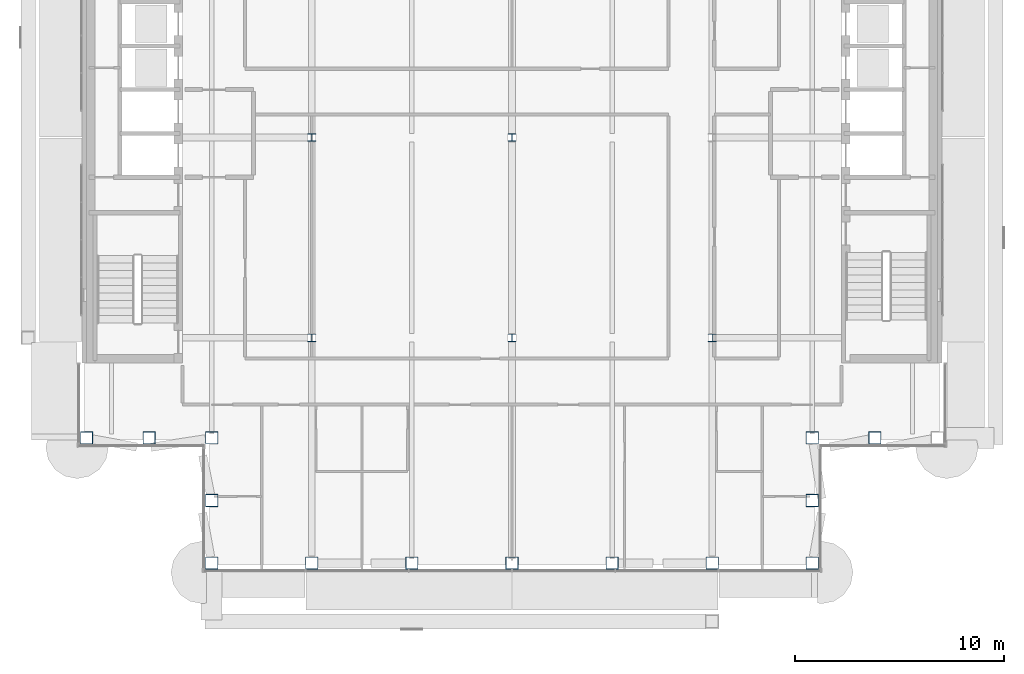
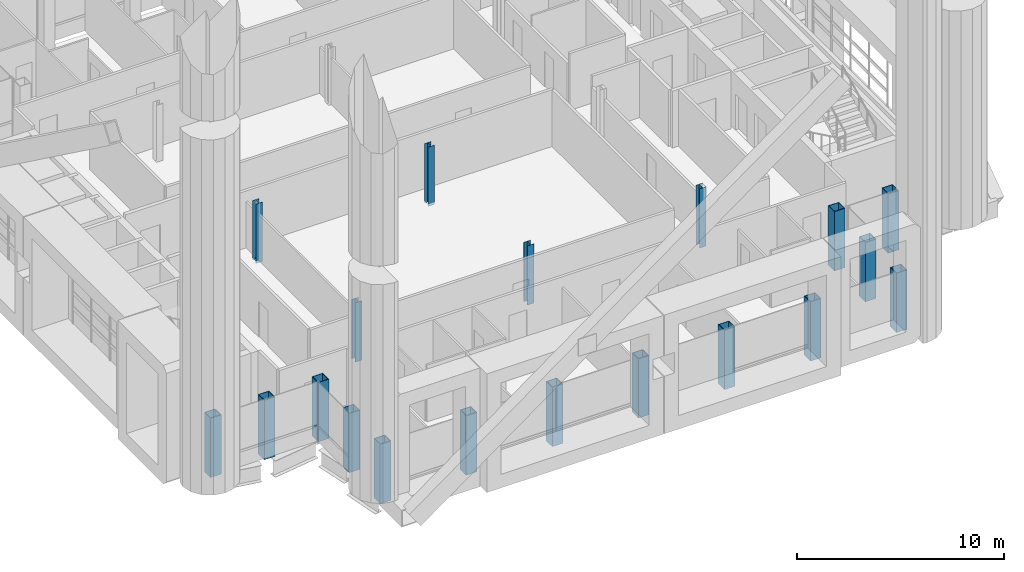
# One storey, part 1 of 29: 19 columns.
"""IFC4 building model written with IfcOpenShell, lengths in metres."""

from ifc_helpers import new_model, si_unit, direction, frame, origin, origin_2d, place, context, subcontext, project, spatial, hollow_rectangle, i_section, extrude, material, material_profile, profile_set, type_object, element, save


model = new_model("IFC4")

# Units and contexts
model_context = context("Model", 3, precision=1e-05, world=origin(), true_north=direction((0.0, 1.0)))
body_context = subcontext(model_context, "Body", "Model", "MODEL_VIEW")
ifc_project = project(units=[si_unit("LENGTHUNIT", "METRE"), si_unit("AREAUNIT", "SQUARE_METRE"), si_unit("VOLUMEUNIT", "CUBIC_METRE"), si_unit("PLANEANGLEUNIT", "RADIAN"), si_unit("MASSUNIT", "GRAM", prefix="KILO")], contexts=[model_context])

# Site, building, storey
site_placement = place(None, origin())
site = spatial("IfcSite", under=ifc_project, at=site_placement, CompositionType="ELEMENT")
building_placement = place(site_placement, origin())
building = spatial("IfcBuilding", under=site, at=building_placement, Name="Cobrizo Arcos Hotel Tower", CompositionType="ELEMENT")
storey_placement = place(building_placement, frame((0.0, 0.0, 241.0)))
storey = spatial("IfcBuildingStorey", under=building, at=storey_placement, Name="L63", CompositionType="ELEMENT", Elevation=241.0)

# Columns
ifc_material_1 = material(Name="Steel ASTM A572 Grade 50", Category="steel")
ifc_material_profile_1 = material_profile(ifc_material_1, hollow_rectangle(XDim=0.60009765625, YDim=0.60009765625, WallThickness=0.030029296875, at=origin_2d()), Name="BOX 600X600X30")
ifc_profile_set_1 = profile_set([ifc_material_profile_1], Name="Steel ASTM A572 Grade 50")
column_type_1 = type_object("IfcColumnType", Name="BOX 600X600X30 column", PredefinedType="COLUMN", material=ifc_profile_set_1)
for number, where, z_axis, x_axis, name in (
    (1, (-14.39990234375, -20.39990234375, -0.14990234375), (0.0, 0.0, 1.0), (1.0, 0.0, 0.0), "Perimeter column C12, L63, no. 01"),
    (2, (-9.60009765625, -20.39990234375, -0.14990234375), (0.0, 0.0, 1.0), (1.0, 0.0, 0.0), "Perimeter column C12, L63, no. 03"),
    (3, (-4.800048828125, -20.39990234375, -0.14990234375), (0.0, 0.0, 1.0), (1.0, 0.0, 0.0), "Perimeter column C12, L63, no. 05"),
    (4, (0.0, -20.39990234375, -0.14990234375), (0.0, 0.0, 1.0), (1.0, 0.0, 0.0), "Perimeter column C12, L63, no. 07"),
    (5, (4.800048828125, -20.39990234375, -0.14990234375), (0.0, 0.0, 1.0), (1.0, 0.0, 0.0), "Perimeter column C12, L63, no. 09"),
    (6, (9.60009765625, -20.39990234375, -0.14990234375), (0.0, 0.0, 1.0), (1.0, 0.0, 0.0), "Perimeter column C12, L63, no. 11"),
    (7, (14.39990234375, -20.39990234375, -0.14990234375), (0.0, 0.0, 1.0), (1.0, 0.0, 0.0), "Perimeter column C12, L63, no. 13"),
    (8, (-20.39990234375, -14.39990234375, -0.14990234375), (0.0, 0.0, 1.0), (1.0, 0.0, 0.0), "Perimeter column C12, L63, no. 15"),
    (9, (-14.39990234375, -14.39990234375, -0.14990234375), (0.0, 0.0, 1.0), (1.0, 0.0, 0.0), "Perimeter column C12, L63, no. 18"),
    (10, (-14.39990234375, -17.39990234375, -0.14990234375), (0.0, 0.0, 1.0), (1.0, 0.0, 0.0), "Perimeter column C12, L63, no. 19"),
    (11, (-17.39990234375, -14.39990234375, -0.14990234375), (0.0, 0.0, 1.0), (1.0, 0.0, 0.0), "Perimeter column C12, L63, no. 20"),
    (12, (14.39990234375, -14.39990234375, -0.14990234375), (0.0, 0.0, 1.0), (1.0, 0.0, 0.0), "Perimeter column C12, L63, no. 24"),
    (13, (14.39990234375, -17.39990234375, -0.14990234375), (0.0, 0.0, 1.0), (1.0, 0.0, 0.0), "Perimeter column C12, L63, no. 25"),
    (14, (17.39990234375, -14.39990234375, -0.14990234375), (0.0, 0.0, 1.0), (1.0, 0.0, 0.0), "Perimeter column C12, L63, no. 26"),
):
    element("IfcColumn", number, at=place(storey_placement, frame(where, z_axis=z_axis, x_axis=x_axis)), inside=storey, type_object=column_type_1, Name=name, PredefinedType="COLUMN", context=body_context, shape_type="SweptSolid", body=[
        extrude(hollow_rectangle(XDim=0.60009765625, YDim=0.60009765625, WallThickness=0.030029296875, at=origin_2d()), origin(), (0.0, 0.0, 1.0), 3.5),
    ])
ifc_material_2 = material(Name="Steel ASTM A992 Grade 50", Category="steel")
ifc_material_profile_2 = material_profile(ifc_material_2, i_section(OverallWidth=0.368408203125, OverallDepth=0.355712890625, WebThickness=0.01123046875, FlangeThickness=0.01806640625, at=origin_2d()), Name="W14X90")
ifc_profile_set_2 = profile_set([ifc_material_profile_2], Name="Steel ASTM A992 Grade 50")
column_type_2 = type_object("IfcColumnType", Name="W14X90 interior column", PredefinedType="COLUMN", material=ifc_profile_set_2)
for number, where, z_axis, x_axis, name in (
    (15, (-9.60009765625, -9.60009765625, -0.14990234375), (0.0, 0.0, 1.0), (1.0, 0.0, 0.0), "Interior column C13, L63, no. 00"),
    (16, (-9.60009765625, 0.0, -0.14990234375), (0.0, 0.0, 1.0), (1.0, 0.0, 0.0), "Interior column C13, L63, no. 01"),
    (17, (0.0, -9.60009765625, -0.14990234375), (0.0, 0.0, 1.0), (1.0, 0.0, 0.0), "Interior column C13, L63, no. 03"),
    (18, (0.0, 0.0, -0.14990234375), (0.0, 0.0, 1.0), (1.0, 0.0, 0.0), "Interior column C13, L63, no. 04"),
    (19, (9.60009765625, -9.60009765625, -0.14990234375), (0.0, 0.0, 1.0), (1.0, 0.0, 0.0), "Interior column C13, L63, no. 06"),
):
    element("IfcColumn", number, at=place(storey_placement, frame(where, z_axis=z_axis, x_axis=x_axis)), inside=storey, type_object=column_type_2, Name=name, PredefinedType="COLUMN", context=body_context, shape_type="SweptSolid", body=[
        extrude(i_section(OverallWidth=0.368408203125, OverallDepth=0.355712890625, WebThickness=0.01123046875, FlangeThickness=0.01806640625, at=origin_2d()), origin(), (0.0, 0.0, 1.0), 3.5),
    ])

save(model, "model.ifc")
